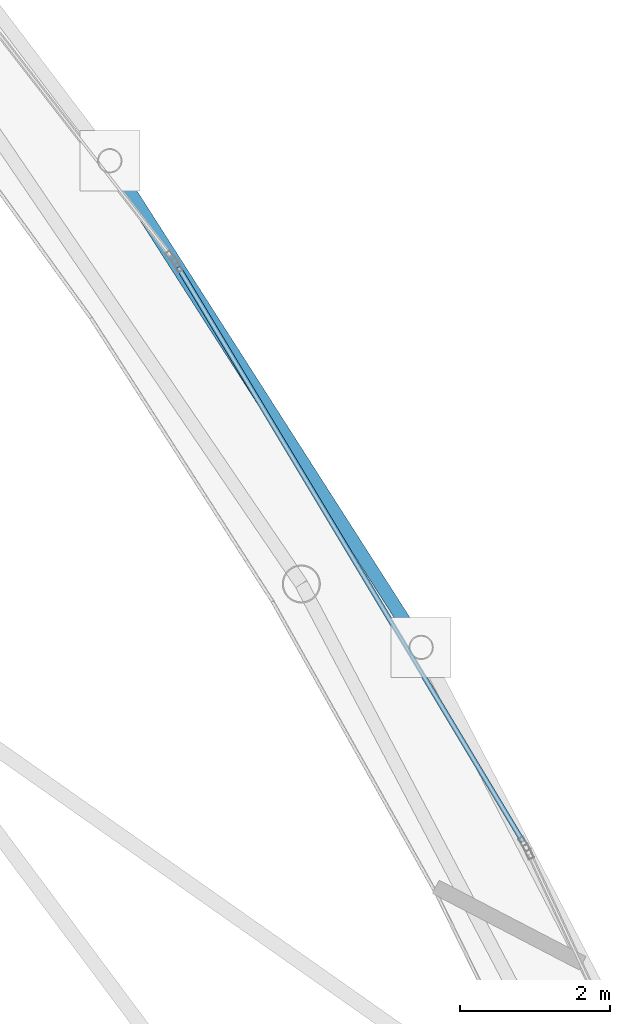
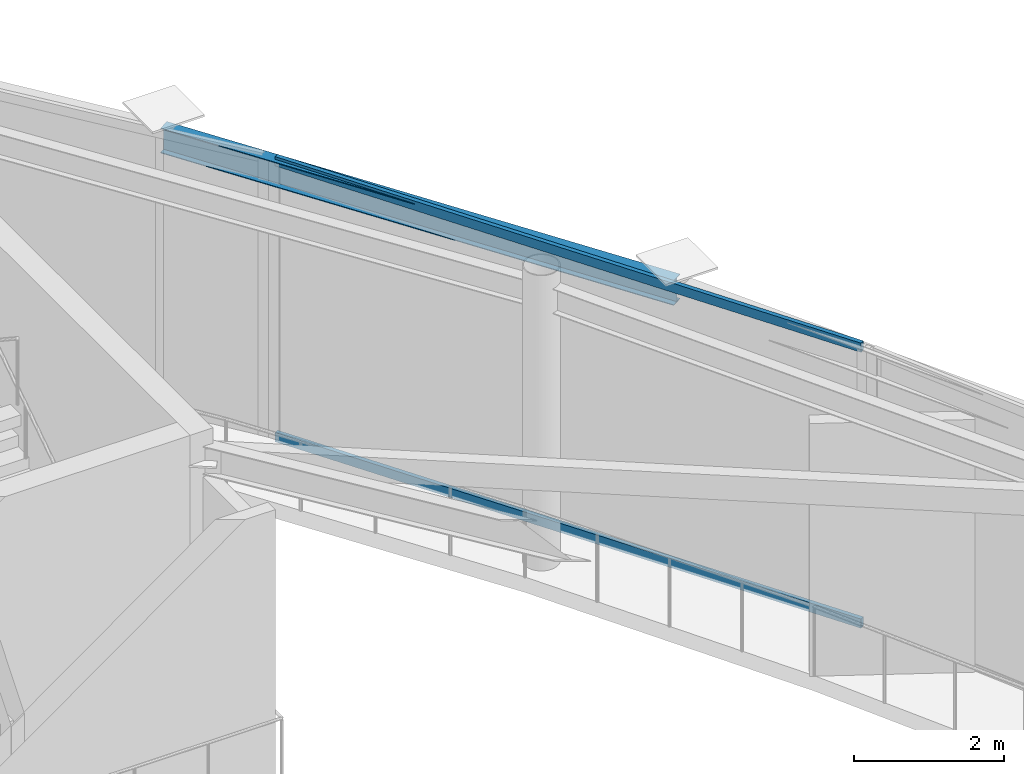
# One storey, part 14 of 20: 2 members, 1 beam, 1 element without a shape of its own.
"""IFC4 building model written with IfcOpenShell, lengths in metres."""

from ifc_helpers import new_model, si_unit, direction, frame, origin, origin_2d, place, context, subcontext, project, spatial, hollow_rectangle, i_section, extrude, material, layer, layer_set, material_profile, profile_set, type_object, element, aggregate, save


model = new_model("IFC4")

# Units and contexts
model_context = context("Model", 3, precision=1e-05, world=origin(), true_north=direction((0.0, 1.0)))
body_context = subcontext(model_context, "Body", "Model", "MODEL_VIEW")
ifc_project = project(units=[si_unit("LENGTHUNIT", "METRE"), si_unit("AREAUNIT", "SQUARE_METRE"), si_unit("VOLUMEUNIT", "CUBIC_METRE"), si_unit("PLANEANGLEUNIT", "RADIAN"), si_unit("MASSUNIT", "GRAM", prefix="KILO")], contexts=[model_context])

# Site, building, storey
site_placement = place(None, origin())
site = spatial("IfcSite", under=ifc_project, at=site_placement, CompositionType="ELEMENT")
building_placement = place(site_placement, origin())
building = spatial("IfcBuilding", under=site, at=building_placement, Name="Orvanel Arch Residences", CompositionType="ELEMENT")
storey_placement = place(building_placement, frame((0.0, 0.0, 300.5)))
storey = spatial("IfcBuildingStorey", under=building, at=storey_placement, Name="L84", CompositionType="ELEMENT", Elevation=300.5)

# Beam
ifc_material_1 = material(Name="Structural steel AS/NZS 3679.1 Grade 300 (300 MPa)", Category="steel")
ifc_material_profile_1 = material_profile(ifc_material_1, i_section(OverallWidth=0.177978515625, OverallDepth=0.406005859375, WebThickness=0.0078125, FlangeThickness=0.0126953125, at=origin_2d()), Name="410UB59.7")
ifc_profile_set_1 = profile_set([ifc_material_profile_1], Name="Structural steel AS/NZS 3679.1 Grade 300 (300 MPa)")
beam_type = type_object("IfcBeamType", Name="OB-410UB-EXT", PredefinedType="SPANDREL", material=ifc_profile_set_1)
beam_placement = place(storey_placement, frame((47.027099609375, 26.7958984375, 4.346923828125), z_axis=(-0.538901583392, 0.842368733642, 0.0), x_axis=(-0.842368733642, -0.538901583392, 0.0)))
element("IfcBeam", 1, at=beam_placement, inside=storey, type_object=beam_type, Name="L84 Outer Perimeter Floor Ring Beam 10", PredefinedType="SPANDREL", context=body_context, shape_type="SweptSolid", body=[
    extrude(i_section(OverallWidth=0.177978515625, OverallDepth=0.406005859375, WebThickness=0.0078125, FlangeThickness=0.0126953125, at=origin_2d()), origin(), (0.0, 0.0, 1.0), 7.697509765625),
])

# Curtain wall, members
ifc_material_2 = material(Name="Bronze-anodised aluminium AA6063-T6", Category="aluminium")
ifc_layer = layer(ifc_material_2, 0.2099609375)
ifc_layer_set = layer_set([ifc_layer], Name="Bronze-anodised aluminium AA6063-T6")
curtain_wall_type = type_object("IfcCurtainWallType", Name="CW7-TOP-SYS", PredefinedType="NOTDEFINED", material=ifc_layer_set)
curtain_wall_placement = place(storey_placement, origin())
curtain_wall = element("IfcCurtainWall", 2, at=curtain_wall_placement, inside=storey, type_object=curtain_wall_type, Name="L84 CW7-TOP-SYS Unitised Curtain Wall", PredefinedType="NOTDEFINED")
ifc_material_profile_2 = material_profile(ifc_material_2, hollow_rectangle(XDim=0.06494140625, YDim=0.14990234375, WallThickness=0.00390625, at=origin_2d()), Name="ALU150x65x4")
ifc_profile_set_2 = profile_set([ifc_material_profile_2], Name="Bronze-anodised aluminium AA6063-T6")
member_type = type_object("IfcMemberType", Name="TRN-150x65", PredefinedType="USERDEFINED", material=ifc_profile_set_2)
member_1_placement = place(storey_placement, frame((48.38330078125, 24.208251953125, 0.032470703125), z_axis=(-0.514447475071, 0.857521892078, 0.0), x_axis=(-0.857521892078, -0.514447475071, 0.0)))
member_1 = element("IfcMember", 3, at=member_1_placement, type_object=member_type, Name="CW-S7 transom 1.1", ObjectType="TRANSOM", PredefinedType="USERDEFINED", context=body_context, shape_type="SweptSolid", body=[
    extrude(hollow_rectangle(XDim=0.06494140625, YDim=0.14990234375, WallThickness=0.00390625, at=origin_2d()), origin(), (0.0, 0.0, 1.0), 8.923828125),
])
member_2_placement = place(storey_placement, frame((48.38330078125, 24.208251953125, 4.517578125), z_axis=(-0.514447475071, 0.857521892078, 0.0), x_axis=(-0.857521892078, -0.514447475071, 0.0)))
member_2 = element("IfcMember", 4, at=member_2_placement, type_object=member_type, Name="CW-S7 transom 1.2", ObjectType="TRANSOM", PredefinedType="USERDEFINED", context=body_context, shape_type="SweptSolid", body=[
    extrude(hollow_rectangle(XDim=0.06494140625, YDim=0.14990234375, WallThickness=0.00390625, at=origin_2d()), origin(), (0.0, 0.0, 1.0), 8.923828125),
])
aggregate(curtain_wall, [member_1, member_2])

save(model, "model.ifc")
